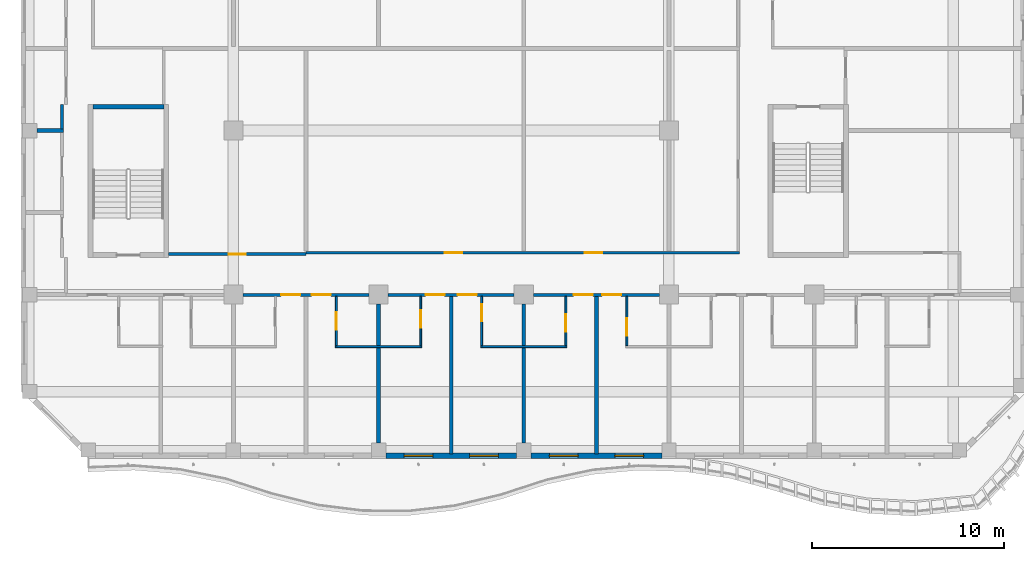
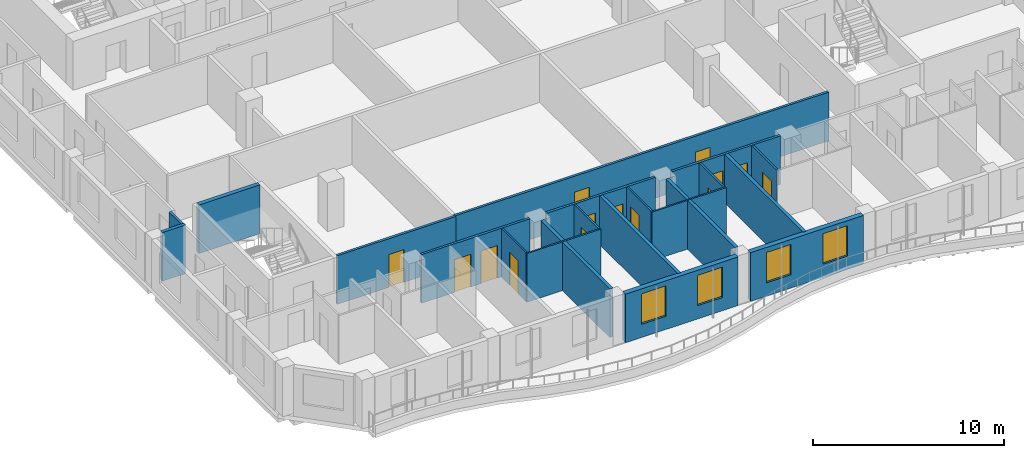
# One storey, part 3 of 22: 23 walls, 14 doors, 4 windows, 18 openings.
"""IFC4 building model written with IfcOpenShell, lengths in metres."""

from ifc_helpers import new_model, si_unit, direction, frame, frame_2d, origin, place, context, subcontext, project, spatial, rectangle, extrude, source, transform, mapped, material, layer, layer_set, type_object, element, fill, save


model = new_model("IFC4")

# Units and contexts
model_context = context("Model", 3, precision=1e-05, world=origin(), true_north=direction((0.0, 1.0)))
body_context = subcontext(model_context, "Body", "Model", "MODEL_VIEW")
ifc_project = project(units=[si_unit("LENGTHUNIT", "METRE"), si_unit("AREAUNIT", "SQUARE_METRE"), si_unit("VOLUMEUNIT", "CUBIC_METRE"), si_unit("PLANEANGLEUNIT", "RADIAN"), si_unit("MASSUNIT", "GRAM", prefix="KILO")], contexts=[model_context])

# Site, building, storey
site_placement = place(None, origin())
site = spatial("IfcSite", under=ifc_project, at=site_placement, CompositionType="ELEMENT")
building_placement = place(site_placement, origin())
building = spatial("IfcBuilding", under=site, at=building_placement, Name="Kilnfold Tower and Market Hall", CompositionType="ELEMENT")
storey_placement = place(building_placement, frame((0.0, 0.0, 206.699951171875)))
storey = spatial("IfcBuildingStorey", under=building, at=storey_placement, Name="L50", CompositionType="ELEMENT", Elevation=206.699951171875)

# Wall, openings, doors
ifc_material_1 = material(Name="Gypsum board on steel studs", Category="steel")
ifc_layer_1 = layer(ifc_material_1, 0.14990234375)
ifc_layer_set_1 = layer_set([ifc_layer_1], Name="Gypsum board on steel studs")
wall_type_1 = type_object("IfcWallType", Name="WALL CORRIDOR 150", PredefinedType="PARTITIONING", material=ifc_layer_set_1)
wall_1_placement = place(storey_placement, frame((-9.6669921875, -17.699951171875, 0.0), z_axis=(0.0, 0.0, 1.0), x_axis=(1.0, 0.0, 0.0)))
wall_1 = element("IfcWall", 1, at=wall_1_placement, inside=storey, type_object=wall_type_1, Name="Partition LY30.2", PredefinedType="PARTITIONING", context=body_context, shape_type="SweptSolid", body=[
    extrude(rectangle(XDim=6.583984375, YDim=0.14990234375, at=frame_2d((3.2919921875, 0.0))), origin(), (0.0, 0.0, 1.0), 3.1201171875),
])
opening_1_placement = place(wall_1_placement, frame((1.99609375, 0.0, 0.0)))
opening_1 = element("IfcOpeningElement", 2, at=opening_1_placement, cuts=wall_1, Name="Opening D1", PredefinedType="OPENING", context=body_context, shape_type="SweptSolid", body=[
    extrude(rectangle(XDim=1.0, YDim=2.10009765625, at=frame_2d((0.5, 1.050048828125))), frame((0.0, 0.0849609375, 0.0), z_axis=(0.0, -1.0, 0.0), x_axis=(1.0, 0.0, 0.0)), (0.0, 0.0, 1.0), 0.169921875),
])
opening_2_placement = place(wall_1_placement, frame((3.587890625, 0.0, 0.0)))
opening_2 = element("IfcOpeningElement", 3, at=opening_2_placement, cuts=wall_1, Name="Opening D1", PredefinedType="OPENING", context=body_context, shape_type="SweptSolid", body=[
    extrude(rectangle(XDim=1.0, YDim=2.10009765625, at=frame_2d((0.5, 1.050048828125))), frame((0.0, 0.0849609375, 0.0), z_axis=(0.0, -1.0, 0.0), x_axis=(1.0, 0.0, 0.0)), (0.0, 0.0, 1.0), 0.169921875),
])
ifc_material_2 = material(Name="Timber veneer door leaf in steel frame", Category="steel")
door_type_1 = type_object("IfcDoorType", Name="DOOR ENTRY 1000 X2100", OperationType="NOTDEFINED", PredefinedType="DOOR", material=ifc_material_2)
door_1_placement = place(opening_1_placement, origin())
door_1 = element("IfcDoor", 4, at=door_1_placement, inside=storey, type_object=door_type_1, Name="Door D1", OperationType="SINGLE_SWING_RIGHT", OverallHeight=2.10009765625, OverallWidth=1.0, PredefinedType="DOOR", context=body_context, shape_type="SweptSolid", body=[
    extrude(rectangle(XDim=1.0, YDim=2.10009765625, at=frame_2d((0.5, 1.050048828125))), frame((0.0, 0.02490234375, 0.0), z_axis=(0.0, -1.0, 0.0), x_axis=(1.0, 0.0, 0.0)), (0.0, 0.0, 1.0), 0.050048828125),
])
fill(opening_1, door_1)
door_2_placement = place(opening_2_placement, origin())
door_2 = element("IfcDoor", 5, at=door_2_placement, inside=storey, type_object=door_type_1, Name="Door D1", OperationType="SINGLE_SWING_RIGHT", OverallHeight=2.10009765625, OverallWidth=1.0, PredefinedType="DOOR", context=body_context, shape_type="SweptSolid", body=[
    extrude(rectangle(XDim=1.0, YDim=2.10009765625, at=frame_2d((0.5, 1.050048828125))), frame((0.0, 0.02490234375, 0.0), z_axis=(0.0, -1.0, 0.0), x_axis=(1.0, 0.0, 0.0)), (0.0, 0.0, 1.0), 0.050048828125),
])
fill(opening_2, door_2)

wall_2_placement = place(storey_placement, frame((-2.0830078125, -17.699951171875, 0.0), z_axis=(0.0, 0.0, 1.0), x_axis=(1.0, 0.0, 0.0)))
wall_2 = element("IfcWall", 6, at=wall_2_placement, inside=storey, type_object=wall_type_1, Name="Partition LY30.3", PredefinedType="PARTITIONING", context=body_context, shape_type="SweptSolid", body=[
    extrude(rectangle(XDim=6.5830078125, YDim=0.14990234375, at=frame_2d((3.29150390625, 0.0))), origin(), (0.0, 0.0, 1.0), 3.1201171875),
])
opening_3_placement = place(wall_2_placement, frame((1.949951171875, 0.0, 0.0)))
opening_3 = element("IfcOpeningElement", 7, at=opening_3_placement, cuts=wall_2, Name="Opening D1", PredefinedType="OPENING", context=body_context, shape_type="SweptSolid", body=[
    extrude(rectangle(XDim=1.0, YDim=2.10009765625, at=frame_2d((0.5, 1.050048828125))), frame((0.0, 0.0849609375, 0.0), z_axis=(0.0, -1.0, 0.0), x_axis=(1.0, 0.0, 0.0)), (0.0, 0.0, 1.0), 0.169921875),
])
opening_4_placement = place(wall_2_placement, frame((3.632080078125, 0.0, 0.0)))
opening_4 = element("IfcOpeningElement", 8, at=opening_4_placement, cuts=wall_2, Name="Opening D1", PredefinedType="OPENING", context=body_context, shape_type="SweptSolid", body=[
    extrude(rectangle(XDim=1.0, YDim=2.10009765625, at=frame_2d((0.5, 1.050048828125))), frame((0.0, 0.0849609375, 0.0), z_axis=(0.0, -1.0, 0.0), x_axis=(1.0, 0.0, 0.0)), (0.0, 0.0, 1.0), 0.169921875),
])
door_3_placement = place(opening_3_placement, origin())
door_3 = element("IfcDoor", 9, at=door_3_placement, inside=storey, type_object=door_type_1, Name="Door D1", OperationType="SINGLE_SWING_RIGHT", OverallHeight=2.10009765625, OverallWidth=1.0, PredefinedType="DOOR", context=body_context, shape_type="SweptSolid", body=[
    extrude(rectangle(XDim=1.0, YDim=2.10009765625, at=frame_2d((0.5, 1.050048828125))), frame((0.0, 0.02490234375, 0.0), z_axis=(0.0, -1.0, 0.0), x_axis=(1.0, 0.0, 0.0)), (0.0, 0.0, 1.0), 0.050048828125),
])
fill(opening_3, door_3)
door_4_placement = place(opening_4_placement, origin())
door_4 = element("IfcDoor", 10, at=door_4_placement, inside=storey, type_object=door_type_1, Name="Door D1", OperationType="SINGLE_SWING_LEFT", OverallHeight=2.10009765625, OverallWidth=1.0, PredefinedType="DOOR", context=body_context, shape_type="SweptSolid", body=[
    extrude(rectangle(XDim=1.0, YDim=2.10009765625, at=frame_2d((0.5, 1.050048828125))), frame((0.0, 0.02490234375, 0.0), z_axis=(0.0, -1.0, 0.0), x_axis=(1.0, 0.0, 0.0)), (0.0, 0.0, 1.0), 0.050048828125),
])
fill(opening_4, door_4)

wall_3_placement = place(storey_placement, frame((5.5, -17.699951171875, 0.0), z_axis=(0.0, 0.0, 1.0), x_axis=(1.0, 0.0, 0.0)))
wall_3 = element("IfcWall", 11, at=wall_3_placement, inside=storey, type_object=wall_type_1, Name="Partition LY30.4", PredefinedType="PARTITIONING", context=body_context, shape_type="SweptSolid", body=[
    extrude(rectangle(XDim=6.5830078125, YDim=0.14990234375, at=frame_2d((3.29150390625, 0.0))), origin(), (0.0, 0.0, 1.0), 3.1201171875),
])
opening_5_placement = place(wall_3_placement, frame((2.10107421875, 0.0, 0.0)))
opening_5 = element("IfcOpeningElement", 12, at=opening_5_placement, cuts=wall_3, Name="Opening D1", PredefinedType="OPENING", context=body_context, shape_type="SweptSolid", body=[
    extrude(rectangle(XDim=1.0, YDim=2.10009765625, at=frame_2d((0.5, 1.050048828125))), frame((0.0, 0.0849609375, 0.0), z_axis=(0.0, -1.0, 0.0), x_axis=(1.0, 0.0, 0.0)), (0.0, 0.0, 1.0), 0.169921875),
])
opening_6_placement = place(wall_3_placement, frame((3.5869140625, 0.0, 0.0)))
opening_6 = element("IfcOpeningElement", 13, at=opening_6_placement, cuts=wall_3, Name="Opening D1", PredefinedType="OPENING", context=body_context, shape_type="SweptSolid", body=[
    extrude(rectangle(XDim=1.0, YDim=2.10009765625, at=frame_2d((0.5, 1.050048828125))), frame((0.0, 0.0849609375, 0.0), z_axis=(0.0, -1.0, 0.0), x_axis=(1.0, 0.0, 0.0)), (0.0, 0.0, 1.0), 0.169921875),
])
door_5_placement = place(opening_5_placement, origin())
door_5 = element("IfcDoor", 14, at=door_5_placement, inside=storey, type_object=door_type_1, Name="Door D1", OperationType="SINGLE_SWING_LEFT", OverallHeight=2.10009765625, OverallWidth=1.0, PredefinedType="DOOR", context=body_context, shape_type="SweptSolid", body=[
    extrude(rectangle(XDim=1.0, YDim=2.10009765625, at=frame_2d((0.5, 1.050048828125))), frame((0.0, 0.02490234375, 0.0), z_axis=(0.0, -1.0, 0.0), x_axis=(1.0, 0.0, 0.0)), (0.0, 0.0, 1.0), 0.050048828125),
])
fill(opening_5, door_5)
door_6_placement = place(opening_6_placement, origin())
door_6 = element("IfcDoor", 15, at=door_6_placement, inside=storey, type_object=door_type_1, Name="Door D1", OperationType="SINGLE_SWING_RIGHT", OverallHeight=2.10009765625, OverallWidth=1.0, PredefinedType="DOOR", context=body_context, shape_type="SweptSolid", body=[
    extrude(rectangle(XDim=1.0, YDim=2.10009765625, at=frame_2d((0.5, 1.050048828125))), frame((0.0, 0.02490234375, 0.0), z_axis=(0.0, -1.0, 0.0), x_axis=(1.0, 0.0, 0.0)), (0.0, 0.0, 1.0), 0.050048828125),
])
fill(opening_6, door_6)

# Wall
wall_4_placement = place(storey_placement, frame((-19.113037109375, -9.034912109375, 0.0), z_axis=(0.0, 0.0, 1.0), x_axis=(0.0, 1.0, 0.0)))
element("IfcWall", 16, at=wall_4_placement, inside=storey, type_object=wall_type_1, Name="Partition LY30.13", PredefinedType="PARTITIONING", context=body_context, shape_type="SweptSolid", body=[
    extrude(rectangle(XDim=1.27783203125, YDim=0.14990234375, at=frame_2d((0.638916015625, 0.0))), origin(), (0.0, 0.0, 1.0), 3.1201171875),
])

# Wall, opening, door
wall_5_placement = place(storey_placement, frame((-6.364990234375, -15.574951171875, 0.0), z_axis=(0.0, 0.0, 1.0), x_axis=(-1.0, 0.0, 0.0)))
wall_5 = element("IfcWall", 17, at=wall_5_placement, inside=storey, type_object=wall_type_1, Name="Partition LY30.39", PredefinedType="PARTITIONING", context=body_context, shape_type="SweptSolid", body=[
    extrude(rectangle(XDim=7.18505859375, YDim=0.14990234375, at=frame_2d((3.592529296875, 0.0))), origin(), (0.0, 0.0, 1.0), 3.1201171875),
])
opening_7_placement = place(wall_5_placement, frame((3.14306640625, 0.0, 0.0)))
opening_7 = element("IfcOpeningElement", 18, at=opening_7_placement, cuts=wall_5, Name="Opening D2", PredefinedType="OPENING", context=body_context, shape_type="SweptSolid", body=[
    extrude(rectangle(XDim=0.89990234375, YDim=2.10009765625, at=frame_2d((0.449951171875, 1.050048828125))), frame((0.0, 0.0849609375, 0.0), z_axis=(0.0, -1.0, 0.0), x_axis=(1.0, 0.0, 0.0)), (0.0, 0.0, 1.0), 0.169921875),
])
ifc_material_3 = material(Name="Timber veneer door leaf in steel frame", Category="steel")
door_type_2 = type_object("IfcDoorType", Name="DOOR ROOM 900 X2100", OperationType="NOTDEFINED", PredefinedType="DOOR", material=ifc_material_3)
door_7_placement = place(opening_7_placement, origin())
door_7 = element("IfcDoor", 19, at=door_7_placement, inside=storey, type_object=door_type_2, Name="Door D2", OperationType="SINGLE_SWING_RIGHT", OverallHeight=2.10009765625, OverallWidth=0.89990234375, PredefinedType="DOOR", context=body_context, shape_type="SweptSolid", body=[
    extrude(rectangle(XDim=0.89990234375, YDim=2.10009765625, at=frame_2d((0.449951171875, 1.050048828125))), frame((0.0, 0.02490234375, 0.0), z_axis=(0.0, -1.0, 0.0), x_axis=(1.0, 0.0, 0.0)), (0.0, 0.0, 1.0), 0.050048828125),
])
fill(opening_7, door_7)

# Wall, openings, doors
wall_6_placement = place(storey_placement, frame((-6.385009765625, -15.5, 0.0), z_axis=(0.0, 0.0, 1.0), x_axis=(1.0, 0.0, 0.0)))
wall_6 = element("IfcWall", 20, at=wall_6_placement, inside=storey, type_object=wall_type_1, Name="Partition LY30.40", PredefinedType="PARTITIONING", context=body_context, shape_type="SweptSolid", body=[
    extrude(rectangle(XDim=22.659912109375, YDim=0.14990234375, at=frame_2d((11.330078125, 0.0))), origin(), (0.0, 0.0, 1.0), 3.1201171875),
])
opening_8_placement = place(wall_6_placement, frame((7.26611328125, 0.0, 0.0)))
opening_8 = element("IfcOpeningElement", 21, at=opening_8_placement, cuts=wall_6, Name="Opening D2", PredefinedType="OPENING", context=body_context, shape_type="SweptSolid", body=[
    extrude(rectangle(XDim=0.89990234375, YDim=2.10009765625, at=frame_2d((0.449951171875, 1.050048828125))), frame((0.0, 0.0849609375, 0.0), z_axis=(0.0, -1.0, 0.0), x_axis=(1.0, 0.0, 0.0)), (0.0, 0.0, 1.0), 0.169921875),
])
opening_9_placement = place(wall_6_placement, frame((14.575927734375, 0.0, 0.0)))
opening_9 = element("IfcOpeningElement", 22, at=opening_9_placement, cuts=wall_6, Name="Opening D2", PredefinedType="OPENING", context=body_context, shape_type="SweptSolid", body=[
    extrude(rectangle(XDim=0.89990234375, YDim=2.10009765625, at=frame_2d((0.449951171875, 1.050048828125))), frame((0.0, 0.0849609375, 0.0), z_axis=(0.0, -1.0, 0.0), x_axis=(1.0, 0.0, 0.0)), (0.0, 0.0, 1.0), 0.169921875),
])
door_8_placement = place(opening_8_placement, origin())
door_8 = element("IfcDoor", 23, at=door_8_placement, inside=storey, type_object=door_type_2, Name="Door D2", OperationType="SINGLE_SWING_LEFT", OverallHeight=2.10009765625, OverallWidth=0.89990234375, PredefinedType="DOOR", context=body_context, shape_type="SweptSolid", body=[
    extrude(rectangle(XDim=0.89990234375, YDim=2.10009765625, at=frame_2d((0.449951171875, 1.050048828125))), frame((0.0, 0.02490234375, 0.0), z_axis=(0.0, -1.0, 0.0), x_axis=(1.0, 0.0, 0.0)), (0.0, 0.0, 1.0), 0.050048828125),
])
fill(opening_8, door_8)
door_9_placement = place(opening_9_placement, origin())
door_9 = element("IfcDoor", 24, at=door_9_placement, inside=storey, type_object=door_type_2, Name="Door D2", OperationType="SINGLE_SWING_RIGHT", OverallHeight=2.10009765625, OverallWidth=0.89990234375, PredefinedType="DOOR", context=body_context, shape_type="SweptSolid", body=[
    extrude(rectangle(XDim=0.89990234375, YDim=2.10009765625, at=frame_2d((0.449951171875, 1.050048828125))), frame((0.0, 0.02490234375, 0.0), z_axis=(0.0, -1.0, 0.0), x_axis=(1.0, 0.0, 0.0)), (0.0, 0.0, 1.0), 0.050048828125),
])
fill(opening_9, door_9)

# Wall, opening, door
ifc_material_4 = material(Name="Gypsum board on steel studs", Category="steel")
ifc_layer_2 = layer(ifc_material_4, 0.10009765625)
ifc_layer_set_2 = layer_set([ifc_layer_2], Name="Gypsum board on steel studs")
wall_type_2 = type_object("IfcWallType", Name="WALL PARTITION 100", PredefinedType="PARTITIONING", material=ifc_layer_set_2)
wall_7_placement = place(storey_placement, frame((-4.782958984375, -20.35205078125, 0.0), z_axis=(0.0, 0.0, 1.0), x_axis=(0.0, 1.0, 0.0)))
wall_7 = element("IfcWall", 25, at=wall_7_placement, inside=storey, type_object=wall_type_2, Name="Partition LY30.53", PredefinedType="PARTITIONING", context=body_context, shape_type="SweptSolid", body=[
    extrude(rectangle(XDim=2.574951171875, YDim=0.10009765625, at=frame_2d((1.28759765625, 0.0))), origin(), (0.0, 0.0, 1.0), 3.1201171875),
])
opening_10_placement = place(wall_7_placement, frame((0.8369140625, 0.0, 0.0)))
opening_10 = element("IfcOpeningElement", 26, at=opening_10_placement, cuts=wall_7, Name="Opening D3", PredefinedType="OPENING", context=body_context, shape_type="SweptSolid", body=[
    extrude(rectangle(XDim=0.89990234375, YDim=2.10009765625, at=frame_2d((0.449951171875, 1.050048828125))), frame((0.0, 0.06005859375, 0.0), z_axis=(0.0, -1.0, 0.0), x_axis=(1.0, 0.0, 0.0)), (0.0, 0.0, 1.0), 0.1201171875),
])
ifc_material_5 = material(Name="Timber veneer door leaf in steel frame", Category="steel")
door_type_3 = type_object("IfcDoorType", Name="DOOR WC 900 X2100", OperationType="NOTDEFINED", PredefinedType="DOOR", material=ifc_material_5)
door_10_placement = place(opening_10_placement, origin())
door_10 = element("IfcDoor", 27, at=door_10_placement, inside=storey, type_object=door_type_3, Name="Door D3", OperationType="SINGLE_SWING_LEFT", OverallHeight=2.10009765625, OverallWidth=0.89990234375, PredefinedType="DOOR", context=body_context, shape_type="SweptSolid", body=[
    extrude(rectangle(XDim=0.89990234375, YDim=2.10009765625, at=frame_2d((0.449951171875, 1.050048828125))), frame((0.0, 0.02490234375, 0.0), z_axis=(0.0, -1.0, 0.0), x_axis=(1.0, 0.0, 0.0)), (0.0, 0.0, 1.0), 0.050048828125),
])
fill(opening_10, door_10)

# Wall
wall_8_placement = place(storey_placement, frame((-4.8330078125, -20.402099609375, 0.0), z_axis=(0.0, 0.0, 1.0), x_axis=(1.0, 0.0, 0.0)))
element("IfcWall", 28, at=wall_8_placement, inside=storey, type_object=wall_type_2, Name="Partition LY30.54", PredefinedType="PARTITIONING", context=body_context, shape_type="SweptSolid", body=[
    extrude(rectangle(XDim=4.5, YDim=0.10009765625, at=frame_2d((2.25, 0.0))), origin(), (0.0, 0.0, 1.0), 3.1201171875),
])

# Wall, opening, door
wall_9_placement = place(storey_placement, frame((-0.383056640625, -17.777099609375, 0.0), z_axis=(0.0, 0.0, 1.0), x_axis=(0.0, -1.0, 0.0)))
wall_9 = element("IfcWall", 29, at=wall_9_placement, inside=storey, type_object=wall_type_2, Name="Partition LY30.57", PredefinedType="PARTITIONING", context=body_context, shape_type="SweptSolid", body=[
    extrude(rectangle(XDim=2.574951171875, YDim=0.10009765625, at=frame_2d((1.28759765625, 0.0))), origin(), (0.0, 0.0, 1.0), 3.1201171875),
])
opening_11_placement = place(wall_9_placement, frame((0.73095703125, 0.0, 0.0)))
opening_11 = element("IfcOpeningElement", 30, at=opening_11_placement, cuts=wall_9, Name="Opening D3", PredefinedType="OPENING", context=body_context, shape_type="SweptSolid", body=[
    extrude(rectangle(XDim=0.89990234375, YDim=2.10009765625, at=frame_2d((0.449951171875, 1.050048828125))), frame((0.0, 0.06005859375, 0.0), z_axis=(0.0, -1.0, 0.0), x_axis=(1.0, 0.0, 0.0)), (0.0, 0.0, 1.0), 0.1201171875),
])
door_11_placement = place(opening_11_placement, origin())
door_11 = element("IfcDoor", 31, at=door_11_placement, inside=storey, type_object=door_type_3, Name="Door D3", OperationType="SINGLE_SWING_RIGHT", OverallHeight=2.10009765625, OverallWidth=0.89990234375, PredefinedType="DOOR", context=body_context, shape_type="SweptSolid", body=[
    extrude(rectangle(XDim=0.89990234375, YDim=2.10009765625, at=frame_2d((0.449951171875, 1.050048828125))), frame((0.0, 0.02490234375, 0.0), z_axis=(0.0, -1.0, 0.0), x_axis=(1.0, 0.0, 0.0)), (0.0, 0.0, 1.0), 0.050048828125),
])
fill(opening_11, door_11)

wall_10_placement = place(storey_placement, frame((2.800048828125, -20.35205078125, 0.0), z_axis=(0.0, 0.0, 1.0), x_axis=(0.0, 1.0, 0.0)))
wall_10 = element("IfcWall", 32, at=wall_10_placement, inside=storey, type_object=wall_type_2, Name="Partition LY30.59", PredefinedType="PARTITIONING", context=body_context, shape_type="SweptSolid", body=[
    extrude(rectangle(XDim=2.574951171875, YDim=0.10009765625, at=frame_2d((1.28759765625, 0.0))), origin(), (0.0, 0.0, 1.0), 3.1201171875),
])
opening_12_placement = place(wall_10_placement, frame((1.261962890625, 0.0, 0.0)))
opening_12 = element("IfcOpeningElement", 33, at=opening_12_placement, cuts=wall_10, Name="Opening D3", PredefinedType="OPENING", context=body_context, shape_type="SweptSolid", body=[
    extrude(rectangle(XDim=0.89990234375, YDim=2.10009765625, at=frame_2d((0.449951171875, 1.050048828125))), frame((0.0, 0.06005859375, 0.0), z_axis=(0.0, -1.0, 0.0), x_axis=(1.0, 0.0, 0.0)), (0.0, 0.0, 1.0), 0.1201171875),
])
door_12_placement = place(opening_12_placement, origin())
door_12 = element("IfcDoor", 34, at=door_12_placement, inside=storey, type_object=door_type_3, Name="Door D3", OperationType="SINGLE_SWING_LEFT", OverallHeight=2.10009765625, OverallWidth=0.89990234375, PredefinedType="DOOR", context=body_context, shape_type="SweptSolid", body=[
    extrude(rectangle(XDim=0.89990234375, YDim=2.10009765625, at=frame_2d((0.449951171875, 1.050048828125))), frame((0.0, 0.02490234375, 0.0), z_axis=(0.0, -1.0, 0.0), x_axis=(1.0, 0.0, 0.0)), (0.0, 0.0, 1.0), 0.050048828125),
])
fill(opening_12, door_12)

# Wall
wall_11_placement = place(storey_placement, frame((2.75, -20.402099609375, 0.0), z_axis=(0.0, 0.0, 1.0), x_axis=(1.0, 0.0, 0.0)))
element("IfcWall", 35, at=wall_11_placement, inside=storey, type_object=wall_type_2, Name="Partition LY30.60", PredefinedType="PARTITIONING", context=body_context, shape_type="SweptSolid", body=[
    extrude(rectangle(XDim=4.5, YDim=0.10009765625, at=frame_2d((2.25, 0.0))), origin(), (0.0, 0.0, 1.0), 3.1201171875),
])

# Wall, opening, door
wall_12_placement = place(storey_placement, frame((7.199951171875, -17.777099609375, 0.0), z_axis=(0.0, 0.0, 1.0), x_axis=(0.0, -1.0, 0.0)))
wall_12 = element("IfcWall", 36, at=wall_12_placement, inside=storey, type_object=wall_type_2, Name="Partition LY30.63", PredefinedType="PARTITIONING", context=body_context, shape_type="SweptSolid", body=[
    extrude(rectangle(XDim=2.574951171875, YDim=0.10009765625, at=frame_2d((1.28759765625, 0.0))), origin(), (0.0, 0.0, 1.0), 3.1201171875),
])
opening_13_placement = place(wall_12_placement, frame((0.944091796875, 0.0, 0.0)))
opening_13 = element("IfcOpeningElement", 37, at=opening_13_placement, cuts=wall_12, Name="Opening D3", PredefinedType="OPENING", context=body_context, shape_type="SweptSolid", body=[
    extrude(rectangle(XDim=0.89990234375, YDim=2.10009765625, at=frame_2d((0.449951171875, 1.050048828125))), frame((0.0, 0.06005859375, 0.0), z_axis=(0.0, -1.0, 0.0), x_axis=(1.0, 0.0, 0.0)), (0.0, 0.0, 1.0), 0.1201171875),
])
door_13_placement = place(opening_13_placement, origin())
door_13 = element("IfcDoor", 38, at=door_13_placement, inside=storey, type_object=door_type_3, Name="Door D3", OperationType="SINGLE_SWING_RIGHT", OverallHeight=2.10009765625, OverallWidth=0.89990234375, PredefinedType="DOOR", context=body_context, shape_type="SweptSolid", body=[
    extrude(rectangle(XDim=0.89990234375, YDim=2.10009765625, at=frame_2d((0.449951171875, 1.050048828125))), frame((0.0, 0.02490234375, 0.0), z_axis=(0.0, -1.0, 0.0), x_axis=(1.0, 0.0, 0.0)), (0.0, 0.0, 1.0), 0.050048828125),
])
fill(opening_13, door_13)

wall_13_placement = place(storey_placement, frame((10.383056640625, -20.35205078125, 0.0), z_axis=(0.0, 0.0, 1.0), x_axis=(0.0, 1.0, 0.0)))
wall_13 = element("IfcWall", 39, at=wall_13_placement, inside=storey, type_object=wall_type_2, Name="Partition LY30.65", PredefinedType="PARTITIONING", context=body_context, shape_type="SweptSolid", body=[
    extrude(rectangle(XDim=2.574951171875, YDim=0.10009765625, at=frame_2d((1.28759765625, 0.0))), origin(), (0.0, 0.0, 1.0), 3.1201171875),
])
opening_14_placement = place(wall_13_placement, frame((0.51904296875, 0.0, 0.0)))
opening_14 = element("IfcOpeningElement", 40, at=opening_14_placement, cuts=wall_13, Name="Opening D3", PredefinedType="OPENING", context=body_context, shape_type="SweptSolid", body=[
    extrude(rectangle(XDim=0.89990234375, YDim=2.10009765625, at=frame_2d((0.449951171875, 1.050048828125))), frame((0.0, 0.06005859375, 0.0), z_axis=(0.0, -1.0, 0.0), x_axis=(1.0, 0.0, 0.0)), (0.0, 0.0, 1.0), 0.1201171875),
])
door_14_placement = place(opening_14_placement, origin())
door_14 = element("IfcDoor", 41, at=door_14_placement, inside=storey, type_object=door_type_3, Name="Door D3", OperationType="SINGLE_SWING_RIGHT", OverallHeight=2.10009765625, OverallWidth=0.89990234375, PredefinedType="DOOR", context=body_context, shape_type="SweptSolid", body=[
    extrude(rectangle(XDim=0.89990234375, YDim=2.10009765625, at=frame_2d((0.449951171875, 1.050048828125))), frame((0.0, 0.02490234375, 0.0), z_axis=(0.0, -1.0, 0.0), x_axis=(1.0, 0.0, 0.0)), (0.0, 0.0, 1.0), 0.050048828125),
])
fill(opening_14, door_14)

# Walls
ifc_material_6 = material(Name="Gypsum board on steel studs", Category="steel")
ifc_layer_3 = layer(ifc_material_6, 0.199951171875)
ifc_layer_set_3 = layer_set([ifc_layer_3], Name="Gypsum board on steel studs")
wall_type_3 = type_object("IfcWallType", Name="WALL PARTY 200", PredefinedType="PARTITIONING", material=ifc_layer_set_3)
wall_14_placement = place(storey_placement, frame((-2.5830078125, -25.425048828125, 0.0), z_axis=(0.0, 0.0, 1.0), x_axis=(0.0, 1.0, 0.0)))
element("IfcWall", 42, at=wall_14_placement, inside=storey, type_object=wall_type_3, Name="Partition LY30.55", PredefinedType="PARTITIONING", context=body_context, shape_type="SweptSolid", body=[
    extrude(rectangle(XDim=4.97314453125, YDim=0.199951171875, at=frame_2d((2.486572265625, 0.0))), origin(), (0.0, 0.0, 1.0), 3.1201171875),
])
wall_15_placement = place(storey_placement, frame((-2.5830078125, -20.35205078125, 0.0), z_axis=(0.0, 0.0, 1.0), x_axis=(0.0, 1.0, 0.0)))
element("IfcWall", 43, at=wall_15_placement, inside=storey, type_object=wall_type_3, Name="Partition LY30.56", PredefinedType="PARTITIONING", context=body_context, shape_type="SweptSolid", body=[
    extrude(rectangle(XDim=2.1640625, YDim=0.199951171875, at=frame_2d((1.08203125, 0.0))), origin(), (0.0, 0.0, 1.0), 3.1201171875),
])
wall_16_placement = place(storey_placement, frame((1.2080078125, -26.0, 0.0), z_axis=(0.0, 0.0, 1.0), x_axis=(0.0, 1.0, 0.0)))
element("IfcWall", 44, at=wall_16_placement, inside=storey, type_object=wall_type_3, Name="Partition LY30.58", PredefinedType="PARTITIONING", context=body_context, shape_type="SweptSolid", body=[
    extrude(rectangle(XDim=8.222900390625, YDim=0.199951171875, at=frame_2d((4.111328125, 0.0))), origin(), (0.0, 0.0, 1.0), 3.1201171875),
])
wall_17_placement = place(storey_placement, frame((5.0, -25.425048828125, 0.0), z_axis=(0.0, 0.0, 1.0), x_axis=(0.0, 1.0, 0.0)))
element("IfcWall", 45, at=wall_17_placement, inside=storey, type_object=wall_type_3, Name="Partition LY30.61", PredefinedType="PARTITIONING", context=body_context, shape_type="SweptSolid", body=[
    extrude(rectangle(XDim=4.97314453125, YDim=0.199951171875, at=frame_2d((2.486572265625, 0.0))), origin(), (0.0, 0.0, 1.0), 3.1201171875),
])
wall_18_placement = place(storey_placement, frame((5.0, -20.35205078125, 0.0), z_axis=(0.0, 0.0, 1.0), x_axis=(0.0, 1.0, 0.0)))
element("IfcWall", 46, at=wall_18_placement, inside=storey, type_object=wall_type_3, Name="Partition LY30.62", PredefinedType="PARTITIONING", context=body_context, shape_type="SweptSolid", body=[
    extrude(rectangle(XDim=2.1640625, YDim=0.199951171875, at=frame_2d((1.08203125, 0.0))), origin(), (0.0, 0.0, 1.0), 3.1201171875),
])
wall_19_placement = place(storey_placement, frame((8.791015625, -26.0, 0.0), z_axis=(0.0, 0.0, 1.0), x_axis=(0.0, 1.0, 0.0)))
element("IfcWall", 47, at=wall_19_placement, inside=storey, type_object=wall_type_3, Name="Partition LY30.64", PredefinedType="PARTITIONING", context=body_context, shape_type="SweptSolid", body=[
    extrude(rectangle(XDim=8.222900390625, YDim=0.199951171875, at=frame_2d((4.111328125, 0.0))), origin(), (0.0, 0.0, 1.0), 3.1201171875),
])
wall_20_placement = place(storey_placement, frame((-20.425048828125, -9.125, 0.0), z_axis=(0.0, 0.0, 1.0), x_axis=(1.0, 0.0, 0.0)))
element("IfcWall", 48, at=wall_20_placement, inside=storey, type_object=wall_type_3, Name="Partition LY30.84", PredefinedType="PARTITIONING", context=body_context, shape_type="SweptSolid", body=[
    extrude(rectangle(XDim=1.39794921875, YDim=0.199951171875, at=frame_2d((0.698974609375, 0.0))), origin(), (0.0, 0.0, 1.0), 3.1201171875),
])
ifc_material_7 = material(Name="Concrete C60", Category="concrete")
ifc_layer_4 = layer(ifc_material_7, 0.25)
ifc_layer_set_4 = layer_set([ifc_layer_4], Name="Concrete C60")
wall_type_4 = type_object("IfcWallType", Name="CORE WALL 250 C60", PredefinedType="SHEAR", material=ifc_layer_set_4)
shared_shape_1 = source(origin(), body_context, "Body", "SweptSolid", [
    extrude(rectangle(XDim=3.699951171875, YDim=0.25, at=frame_2d((1.85009765625, 0.0))), origin(), (0.0, 0.0, 1.0), 3.1201171875),
])
wall_21_placement = place(storey_placement, frame((-17.5, -7.875, 0.0), z_axis=(0.0, 0.0, 1.0), x_axis=(1.0, 0.0, 0.0)))
element("IfcWall", 49, at=wall_21_placement, inside=storey, type_object=wall_type_4, Name="Stair enclosure ST3", PredefinedType="SHEAR", context=body_context, shape_type="MappedRepresentation", body=[
    mapped(shared_shape_1, transform((0.0, 0.0, 0.0))),
])

# Wall, openings, windows
ifc_material_8 = material(Name="Precast concrete C50/60", Category="concrete")
ifc_layer_5 = layer(ifc_material_8, 0.300048828125)
ifc_layer_set_5 = layer_set([ifc_layer_5], Name="Precast concrete C50/60")
wall_type_5 = type_object("IfcWallType", Name="PRECAST WALL 300", PredefinedType="SOLIDWALL", material=ifc_layer_set_5)
shared_shape_2 = source(origin(), body_context, "Body", "SweptSolid", [
    extrude(rectangle(XDim=6.833251953125, YDim=0.300048828125, at=frame_2d((3.41650390625, 0.0))), origin(), (0.0, 0.0, 1.0), 3.1201171875),
])
wall_22_placement = place(storey_placement, frame((-2.208251953125, -26.10009765625, 0.0), z_axis=(0.0, 0.0, 1.0), x_axis=(1.0, 0.0, 0.0)))
wall_22 = element("IfcWall", 50, at=wall_22_placement, inside=storey, type_object=wall_type_5, Name="External wall L50 S", PredefinedType="SOLIDWALL", context=body_context, shape_type="MappedRepresentation", body=[
    mapped(shared_shape_2, transform((0.0, 0.0, 0.0))),
])
opening_15_placement = place(wall_22_placement, frame((0.958251953125, 0.0, 0.85009765625)))
opening_15 = element("IfcOpeningElement", 51, at=opening_15_placement, cuts=wall_22, Name="Opening W4", PredefinedType="OPENING", context=body_context, shape_type="SweptSolid", body=[
    extrude(rectangle(XDim=1.5, YDim=1.949951171875, at=frame_2d((0.75, 0.97509765625))), frame((0.0, 0.16015625, 0.0), z_axis=(0.0, -1.0, 0.0), x_axis=(1.0, 0.0, 0.0)), (0.0, 0.0, 1.0), 0.320068359375),
])
opening_16_placement = place(wall_22_placement, frame((4.375, 0.0, 0.85009765625)))
opening_16 = element("IfcOpeningElement", 52, at=opening_16_placement, cuts=wall_22, Name="Opening W4", PredefinedType="OPENING", context=body_context, shape_type="SweptSolid", body=[
    extrude(rectangle(XDim=1.5, YDim=1.949951171875, at=frame_2d((0.75, 0.97509765625))), frame((0.0, 0.16015625, 0.0), z_axis=(0.0, -1.0, 0.0), x_axis=(1.0, 0.0, 0.0)), (0.0, 0.0, 1.0), 0.320068359375),
])
ifc_material_9 = material(Name="Aluminium frame and double glazing", Category="aluminium")
window_type = type_object("IfcWindowType", Name="WINDOW W4 1500X1950", PartitioningType="SINGLE_PANEL", PredefinedType="WINDOW", material=ifc_material_9)
window_1_placement = place(opening_15_placement, origin())
window_1 = element("IfcWindow", 53, at=window_1_placement, inside=storey, type_object=window_type, Name="Window W4 L50 S-1", OverallHeight=1.949951171875, OverallWidth=1.5, PartitioningType="SINGLE_PANEL", PredefinedType="WINDOW", context=body_context, shape_type="SweptSolid", body=[
    extrude(rectangle(XDim=1.5, YDim=1.949951171875, at=frame_2d((0.75, 0.97509765625))), frame((0.0, 0.030029296875, 0.0), z_axis=(0.0, -1.0, 0.0), x_axis=(1.0, 0.0, 0.0)), (0.0, 0.0, 1.0), 0.06005859375),
])
fill(opening_15, window_1)
window_2_placement = place(opening_16_placement, origin())
window_2 = element("IfcWindow", 54, at=window_2_placement, inside=storey, type_object=window_type, Name="Window W4 L50 S-2", OverallHeight=1.949951171875, OverallWidth=1.5, PartitioningType="SINGLE_PANEL", PredefinedType="WINDOW", context=body_context, shape_type="SweptSolid", body=[
    extrude(rectangle(XDim=1.5, YDim=1.949951171875, at=frame_2d((0.75, 0.97509765625))), frame((0.0, 0.030029296875, 0.0), z_axis=(0.0, -1.0, 0.0), x_axis=(1.0, 0.0, 0.0)), (0.0, 0.0, 1.0), 0.06005859375),
])
fill(opening_16, window_2)

wall_23_placement = place(storey_placement, frame((5.375, -26.10009765625, 0.0), z_axis=(0.0, 0.0, 1.0), x_axis=(1.0, 0.0, 0.0)))
wall_23 = element("IfcWall", 55, at=wall_23_placement, inside=storey, type_object=wall_type_5, Name="External wall L50 S", PredefinedType="SOLIDWALL", context=body_context, shape_type="MappedRepresentation", body=[
    mapped(shared_shape_2, transform((0.0, 0.0, 0.0))),
])
opening_17_placement = place(wall_23_placement, frame((0.958251953125, 0.0, 0.85009765625)))
opening_17 = element("IfcOpeningElement", 56, at=opening_17_placement, cuts=wall_23, Name="Opening W4", PredefinedType="OPENING", context=body_context, shape_type="SweptSolid", body=[
    extrude(rectangle(XDim=1.5, YDim=1.949951171875, at=frame_2d((0.75, 0.97509765625))), frame((0.0, 0.16015625, 0.0), z_axis=(0.0, -1.0, 0.0), x_axis=(1.0, 0.0, 0.0)), (0.0, 0.0, 1.0), 0.320068359375),
])
opening_18_placement = place(wall_23_placement, frame((4.375, 0.0, 0.85009765625)))
opening_18 = element("IfcOpeningElement", 57, at=opening_18_placement, cuts=wall_23, Name="Opening W4", PredefinedType="OPENING", context=body_context, shape_type="SweptSolid", body=[
    extrude(rectangle(XDim=1.5, YDim=1.949951171875, at=frame_2d((0.75, 0.97509765625))), frame((0.0, 0.16015625, 0.0), z_axis=(0.0, -1.0, 0.0), x_axis=(1.0, 0.0, 0.0)), (0.0, 0.0, 1.0), 0.320068359375),
])
window_3_placement = place(opening_17_placement, origin())
window_3 = element("IfcWindow", 58, at=window_3_placement, inside=storey, type_object=window_type, Name="Window W4 L50 S-1", OverallHeight=1.949951171875, OverallWidth=1.5, PartitioningType="SINGLE_PANEL", PredefinedType="WINDOW", context=body_context, shape_type="SweptSolid", body=[
    extrude(rectangle(XDim=1.5, YDim=1.949951171875, at=frame_2d((0.75, 0.97509765625))), frame((0.0, 0.030029296875, 0.0), z_axis=(0.0, -1.0, 0.0), x_axis=(1.0, 0.0, 0.0)), (0.0, 0.0, 1.0), 0.06005859375),
])
fill(opening_17, window_3)
window_4_placement = place(opening_18_placement, origin())
window_4 = element("IfcWindow", 59, at=window_4_placement, inside=storey, type_object=window_type, Name="Window W4 L50 S-2", OverallHeight=1.949951171875, OverallWidth=1.5, PartitioningType="SINGLE_PANEL", PredefinedType="WINDOW", context=body_context, shape_type="SweptSolid", body=[
    extrude(rectangle(XDim=1.5, YDim=1.949951171875, at=frame_2d((0.75, 0.97509765625))), frame((0.0, 0.030029296875, 0.0), z_axis=(0.0, -1.0, 0.0), x_axis=(1.0, 0.0, 0.0)), (0.0, 0.0, 1.0), 0.06005859375),
])
fill(opening_18, window_4)

save(model, "model.ifc")
